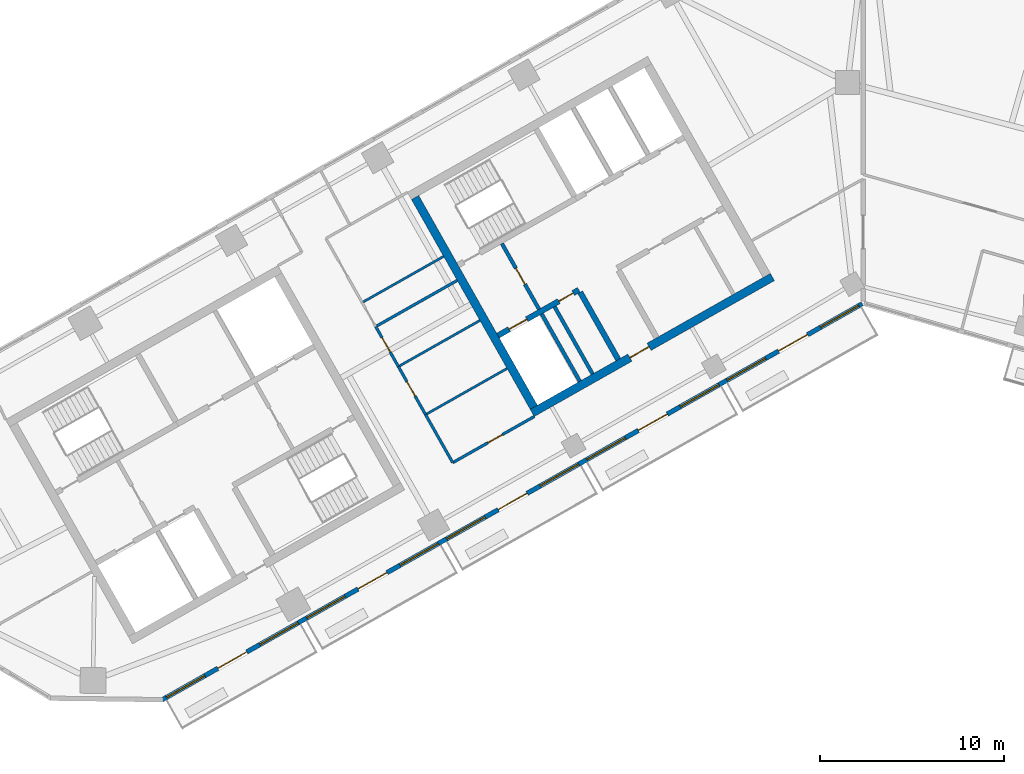
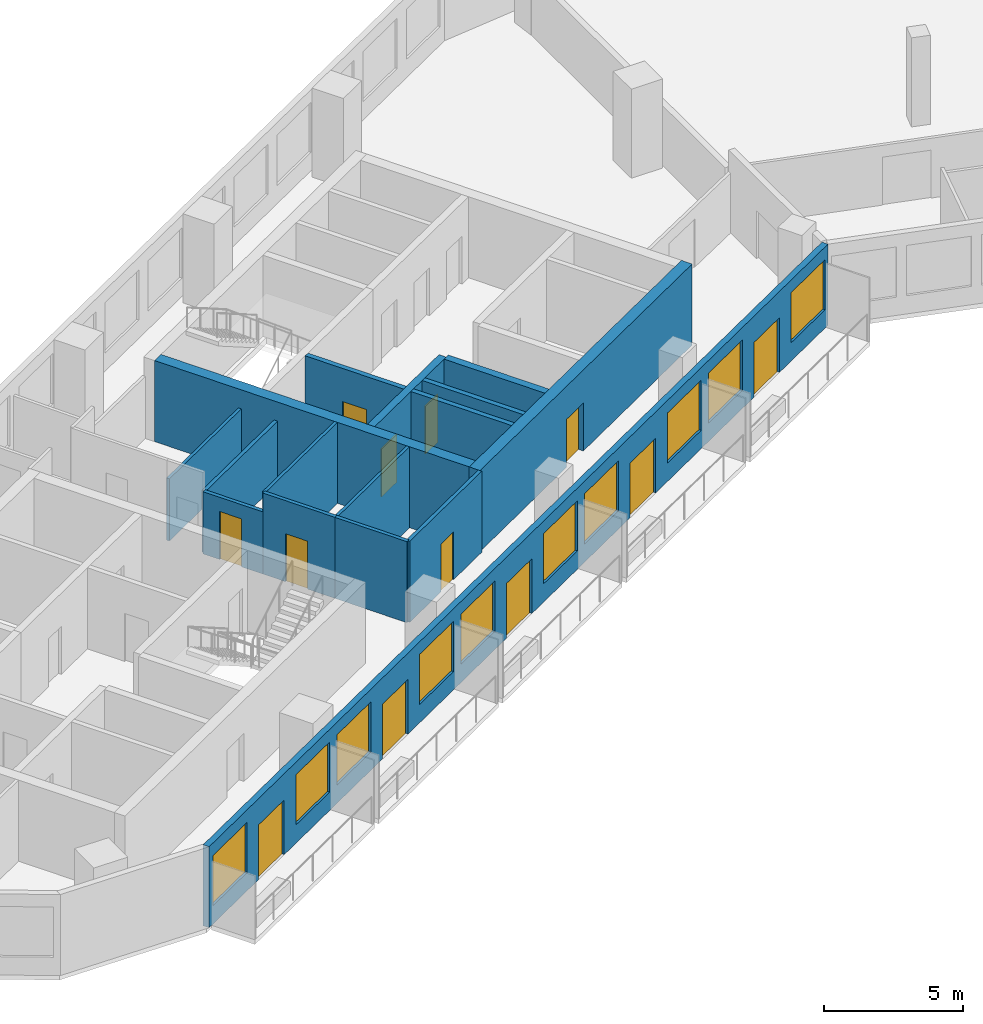
# One storey, part 5 of 11: 16 walls, 12 doors, 10 windows, 22 openings.
"""IFC4 building model written with IfcOpenShell, lengths in metres."""

from ifc_helpers import new_model, si_unit, direction, frame, frame_2d, origin, place, context, subcontext, project, spatial, rectangle, extrude, material, layer, layer_set, type_object, element, fill, save


model = new_model("IFC4")

# Units and contexts
model_context = context("Model", 3, precision=1e-05, world=origin(), true_north=direction((0.0, 1.0)))
body_context = subcontext(model_context, "Body", "Model", "MODEL_VIEW")
ifc_project = project(units=[si_unit("LENGTHUNIT", "METRE"), si_unit("AREAUNIT", "SQUARE_METRE"), si_unit("VOLUMEUNIT", "CUBIC_METRE"), si_unit("PLANEANGLEUNIT", "RADIAN"), si_unit("MASSUNIT", "GRAM", prefix="KILO")], contexts=[model_context])

# Site, building, storey
site_placement = place(None, origin())
site = spatial("IfcSite", under=ifc_project, at=site_placement, CompositionType="ELEMENT")
building_placement = place(site_placement, origin())
building = spatial("IfcBuilding", under=site, at=building_placement, Name="Binnacle Exchange Tower", CompositionType="ELEMENT")
storey_placement = place(building_placement, frame((0.0, 0.0, 227.0)))
storey = spatial("IfcBuildingStorey", under=building, at=storey_placement, Name="L50", CompositionType="ELEMENT", Elevation=227.0)

# Wall, openings, doors
ifc_material_1 = material(Name="Concrete C70/85", Category="concrete")
ifc_layer_1 = layer(ifc_material_1, 0.300048828125)
ifc_layer_set_1 = layer_set([ifc_layer_1], Name="Core wall - front 300")
wall_type_1 = type_object("IfcWallType", Name="Core wall - front 300", PredefinedType="SOLIDWALL", material=ifc_layer_set_1)
wall_1_placement = place(storey_placement, frame((-19.8486328125, 46.242431640625, 0.0), z_axis=(0.0, 0.0, 1.0), x_axis=(0.870347559728, 0.492437940532, 0.0)))
wall_1 = element("IfcWall", 1, at=wall_1_placement, inside=storey, type_object=wall_type_1, Name="Core wall CRWC2", PredefinedType="SOLIDWALL", context=body_context, shape_type="SweptSolid", body=[
    extrude(rectangle(XDim=5.050048828125, YDim=0.300048828125, at=frame_2d((2.52490234375, 0.0))), origin(), (0.0, 0.0, 1.0), 3.550048828125),
])
opening_1_placement = place(wall_1_placement, frame((0.7001953125, 0.0, 0.0)))
opening_1 = element("IfcOpeningElement", 2, at=opening_1_placement, cuts=wall_1, Name="Opening LD14", PredefinedType="OPENING", context=body_context, shape_type="SweptSolid", body=[
    extrude(rectangle(XDim=1.10009765625, YDim=2.10009765625, at=frame_2d((0.550048828125, 1.050048828125))), frame((0.0, 0.159912109375, 0.0), z_axis=(0.0, -1.0, 0.0), x_axis=(1.0, 0.0, 0.0)), (0.0, 0.0, 1.0), 0.320068359375),
])
opening_2_placement = place(wall_1_placement, frame((3.800048828125, 0.0, 0.0)))
opening_2 = element("IfcOpeningElement", 3, at=opening_2_placement, cuts=wall_1, Name="Opening DC14", PredefinedType="OPENING", context=body_context, shape_type="SweptSolid", body=[
    extrude(rectangle(XDim=0.89990234375, YDim=2.10009765625, at=frame_2d((0.449951171875, 1.050048828125))), frame((0.0, 0.159912109375, 0.0), z_axis=(0.0, -1.0, 0.0), x_axis=(1.0, 0.0, 0.0)), (0.0, 0.0, 1.0), 0.320068359375),
])
ifc_material_2 = material(Name="Steel door leaf", Category="steel")
door_type_1 = type_object("IfcDoorType", Name="Fire door - lift landing 1100", OperationType="NOTDEFINED", PredefinedType="DOOR", material=ifc_material_2)
door_1_placement = place(opening_1_placement, origin())
door_1 = element("IfcDoor", 4, at=door_1_placement, inside=storey, type_object=door_type_1, Name="Landing door LD14 L50", OperationType="DOUBLE_DOOR_SLIDING", OverallHeight=2.10009765625, OverallWidth=1.10009765625, PredefinedType="DOOR", context=body_context, shape_type="SweptSolid", body=[
    extrude(rectangle(XDim=1.10009765625, YDim=2.10009765625, at=frame_2d((0.550048828125, 1.050048828125))), frame((0.0, 0.02490234375, 0.0), z_axis=(0.0, -1.0, 0.0), x_axis=(1.0, 0.0, 0.0)), (0.0, 0.0, 1.0), 0.050048828125),
])
fill(opening_1, door_1)
door_type_2 = type_object("IfcDoorType", Name="Fire door 900", OperationType="NOTDEFINED", PredefinedType="DOOR", material=ifc_material_2)
door_2_placement = place(opening_2_placement, frame((0.89990234375, 0.0, 0.0), z_axis=(0.0, 0.0, 1.0), x_axis=(-1.0, 0.0, 0.0)))
door_2 = element("IfcDoor", 5, at=door_2_placement, inside=storey, type_object=door_type_2, Name="Core room door COMMS RISER ROOM", OperationType="SINGLE_SWING_LEFT", OverallHeight=2.10009765625, OverallWidth=0.89990234375, PredefinedType="DOOR", context=body_context, shape_type="SweptSolid", body=[
    extrude(rectangle(XDim=0.89990234375, YDim=2.10009765625, at=frame_2d((0.449951171875, 1.050048828125))), frame((0.0, 0.02490234375, 0.0), z_axis=(0.0, -1.0, 0.0), x_axis=(1.0, 0.0, 0.0)), (0.0, 0.0, 1.0), 0.050048828125),
])
fill(opening_2, door_2)

# Wall
wall_2_placement = place(storey_placement, frame((-15.37939453125, 48.5986328125, 0.0), z_axis=(0.0, 0.0, 1.0), x_axis=(0.492409653846, -0.870363563575, 0.0)))
element("IfcWall", 6, at=wall_2_placement, inside=storey, type_object=wall_type_1, Name="Core wall CRWC13", PredefinedType="SOLIDWALL", context=body_context, shape_type="SweptSolid", body=[
    extrude(rectangle(XDim=4.199951171875, YDim=0.300048828125, at=frame_2d((2.10009765625, 0.0))), origin(), (0.0, 0.0, 1.0), 3.550048828125),
])

# Wall, opening, door
ifc_layer_2 = layer(ifc_material_1, 0.449951171875)
ifc_layer_set_2 = layer_set([ifc_layer_2], Name="Core wall - outer 450")
wall_type_2 = type_object("IfcWallType", Name="Core wall - outer 450", PredefinedType="SOLIDWALL", material=ifc_layer_set_2)
wall_3_placement = place(storey_placement, frame((-17.987548828125, 42.0390625, 0.0), z_axis=(0.0, 0.0, 1.0), x_axis=(0.870360574057, 0.492414937962, 0.0)))
wall_3 = element("IfcWall", 7, at=wall_3_placement, inside=storey, type_object=wall_type_2, Name="Core wall CRWC1", PredefinedType="SOLIDWALL", context=body_context, shape_type="SweptSolid", body=[
    extrude(rectangle(XDim=15.0, YDim=0.449951171875, at=frame_2d((7.5, 0.0))), origin(), (0.0, 0.0, 1.0), 3.550048828125),
])
opening_3_placement = place(wall_3_placement, frame((6.10009765625, 0.0, 0.0)))
opening_3 = element("IfcOpeningElement", 8, at=opening_3_placement, cuts=wall_3, Name="Opening DC7", PredefinedType="OPENING", context=body_context, shape_type="SweptSolid", body=[
    extrude(rectangle(XDim=1.199951171875, YDim=2.10009765625, at=frame_2d((0.60009765625, 1.050048828125))), frame((0.0, 0.23486328125, 0.0), z_axis=(0.0, -1.0, 0.0), x_axis=(1.0, 0.0, 0.0)), (0.0, 0.0, 1.0), 0.469970703125),
])
door_type_3 = type_object("IfcDoorType", Name="Fire door 1200", OperationType="NOTDEFINED", PredefinedType="DOOR", material=ifc_material_2)
door_3_placement = place(opening_3_placement, frame((1.199951171875, 0.0, 0.0), z_axis=(0.0, 0.0, 1.0), x_axis=(-1.0, 0.0, 0.0)))
door_3 = element("IfcDoor", 9, at=door_3_placement, inside=storey, type_object=door_type_3, Name="Lift lobby entrance door core C", OperationType="SINGLE_SWING_RIGHT", OverallHeight=2.10009765625, OverallWidth=1.199951171875, PredefinedType="DOOR", context=body_context, shape_type="SweptSolid", body=[
    extrude(rectangle(XDim=1.199951171875, YDim=2.10009765625, at=frame_2d((0.60009765625, 1.050048828125))), frame((0.0, 0.02490234375, 0.0), z_axis=(0.0, -1.0, 0.0), x_axis=(1.0, 0.0, 0.0)), (0.0, 0.0, 1.0), 0.050048828125),
])
fill(opening_3, door_3)

# Wall
wall_4_placement = place(storey_placement, frame((-24.353271484375, 53.747314453125, 0.0), z_axis=(0.0, 0.0, 1.0), x_axis=(0.492435496286, -0.870348942665, 0.0)))
element("IfcWall", 10, at=wall_4_placement, inside=storey, type_object=wall_type_2, Name="Core wall CRWC7", PredefinedType="SOLIDWALL", context=body_context, shape_type="SweptSolid", body=[
    extrude(rectangle(XDim=13.10009765625, YDim=0.449951171875, at=frame_2d((6.550048828125, 0.0))), origin(), (0.0, 0.0, 1.0), 3.550048828125),
])

# Wall, openings, doors, windows
ifc_material_3 = material(Name="Bronze aluminium cladding", Category="aluminium")
ifc_layer_3 = layer(ifc_material_3, 0.25)
ifc_layer_set_3 = layer_set([ifc_layer_3], Name="External wall - window wall 250")
wall_type_3 = type_object("IfcWallType", Name="External wall - window wall 250", PredefinedType="STANDARD", material=ifc_layer_set_3)
wall_5_placement = place(storey_placement, frame((-0.045654296875, 47.97412109375, 0.0), z_axis=(0.0, 0.0, 1.0), x_axis=(-0.870356579543, -0.492421998337, 0.0)))
wall_5 = element("IfcWall", 11, at=wall_5_placement, inside=storey, type_object=wall_type_3, Name="External wall EW-G01 L50", PredefinedType="STANDARD", context=body_context, shape_type="SweptSolid", body=[
    extrude(rectangle(XDim=43.75390625, YDim=0.25, at=frame_2d((21.876953125, 0.0))), origin(), (0.0, 0.0, 1.0), 3.550048828125),
])
opening_4_placement = place(wall_5_placement, frame((41.061279296875, 0.0, 0.800048828125)))
opening_4 = element("IfcOpeningElement", 12, at=opening_4_placement, cuts=wall_5, Name="Opening WR1", PredefinedType="OPENING", context=body_context, shape_type="SweptSolid", body=[
    extrude(rectangle(XDim=2.39990234375, YDim=2.199951171875, at=frame_2d((1.199951171875, 1.10009765625))), frame((0.0, 0.135009765625, 0.0), z_axis=(0.0, -1.0, 0.0), x_axis=(1.0, 0.0, 0.0)), (0.0, 0.0, 1.0), 0.27001953125),
])
opening_5_placement = place(wall_5_placement, frame((38.443115234375, 0.0, 0.0)))
opening_5 = element("IfcOpeningElement", 13, at=opening_5_placement, cuts=wall_5, Name="Opening D-FS13-01", PredefinedType="OPENING", context=body_context, shape_type="SweptSolid", body=[
    extrude(rectangle(XDim=1.800048828125, YDim=2.39990234375, at=frame_2d((0.89990234375, 1.199951171875))), frame((0.0, 0.135009765625, 0.0), z_axis=(0.0, -1.0, 0.0), x_axis=(1.0, 0.0, 0.0)), (0.0, 0.0, 1.0), 0.27001953125),
])
opening_6_placement = place(wall_5_placement, frame((35.224853515625, 0.0, 0.800048828125)))
opening_6 = element("IfcOpeningElement", 14, at=opening_6_placement, cuts=wall_5, Name="Opening WR1", PredefinedType="OPENING", context=body_context, shape_type="SweptSolid", body=[
    extrude(rectangle(XDim=2.39990234375, YDim=2.199951171875, at=frame_2d((1.199951171875, 1.10009765625))), frame((0.0, 0.135009765625, 0.0), z_axis=(0.0, -1.0, 0.0), x_axis=(1.0, 0.0, 0.0)), (0.0, 0.0, 1.0), 0.27001953125),
])
opening_7_placement = place(wall_5_placement, frame((32.306640625, 0.0, 0.800048828125)))
opening_7 = element("IfcOpeningElement", 15, at=opening_7_placement, cuts=wall_5, Name="Opening WR1", PredefinedType="OPENING", context=body_context, shape_type="SweptSolid", body=[
    extrude(rectangle(XDim=2.39990234375, YDim=2.199951171875, at=frame_2d((1.199951171875, 1.10009765625))), frame((0.0, 0.135009765625, 0.0), z_axis=(0.0, -1.0, 0.0), x_axis=(1.0, 0.0, 0.0)), (0.0, 0.0, 1.0), 0.27001953125),
])
opening_8_placement = place(wall_5_placement, frame((29.6884765625, 0.0, 0.0)))
opening_8 = element("IfcOpeningElement", 16, at=opening_8_placement, cuts=wall_5, Name="Opening D-FS13-02", PredefinedType="OPENING", context=body_context, shape_type="SweptSolid", body=[
    extrude(rectangle(XDim=1.800048828125, YDim=2.39990234375, at=frame_2d((0.89990234375, 1.199951171875))), frame((0.0, 0.135009765625, 0.0), z_axis=(0.0, -1.0, 0.0), x_axis=(1.0, 0.0, 0.0)), (0.0, 0.0, 1.0), 0.27001953125),
])
opening_9_placement = place(wall_5_placement, frame((26.47021484375, 0.0, 0.800048828125)))
opening_9 = element("IfcOpeningElement", 17, at=opening_9_placement, cuts=wall_5, Name="Opening WR1", PredefinedType="OPENING", context=body_context, shape_type="SweptSolid", body=[
    extrude(rectangle(XDim=2.39990234375, YDim=2.199951171875, at=frame_2d((1.199951171875, 1.10009765625))), frame((0.0, 0.135009765625, 0.0), z_axis=(0.0, -1.0, 0.0), x_axis=(1.0, 0.0, 0.0)), (0.0, 0.0, 1.0), 0.27001953125),
])
opening_10_placement = place(wall_5_placement, frame((23.552001953125, 0.0, 0.800048828125)))
opening_10 = element("IfcOpeningElement", 18, at=opening_10_placement, cuts=wall_5, Name="Opening WR1", PredefinedType="OPENING", context=body_context, shape_type="SweptSolid", body=[
    extrude(rectangle(XDim=2.39990234375, YDim=2.199951171875, at=frame_2d((1.199951171875, 1.10009765625))), frame((0.0, 0.135009765625, 0.0), z_axis=(0.0, -1.0, 0.0), x_axis=(1.0, 0.0, 0.0)), (0.0, 0.0, 1.0), 0.27001953125),
])
opening_11_placement = place(wall_5_placement, frame((20.93408203125, 0.0, 0.0)))
opening_11 = element("IfcOpeningElement", 19, at=opening_11_placement, cuts=wall_5, Name="Opening D-FS13-03", PredefinedType="OPENING", context=body_context, shape_type="SweptSolid", body=[
    extrude(rectangle(XDim=1.7998046875, YDim=2.39990234375, at=frame_2d((0.89990234375, 1.199951171875))), frame((0.0, 0.135009765625, 0.0), z_axis=(0.0, -1.0, 0.0), x_axis=(1.0, 0.0, 0.0)), (0.0, 0.0, 1.0), 0.27001953125),
])
opening_12_placement = place(wall_5_placement, frame((17.7158203125, 0.0, 0.800048828125)))
opening_12 = element("IfcOpeningElement", 20, at=opening_12_placement, cuts=wall_5, Name="Opening WR1", PredefinedType="OPENING", context=body_context, shape_type="SweptSolid", body=[
    extrude(rectangle(XDim=2.39990234375, YDim=2.199951171875, at=frame_2d((1.199951171875, 1.10009765625))), frame((0.0, 0.135009765625, 0.0), z_axis=(0.0, -1.0, 0.0), x_axis=(1.0, 0.0, 0.0)), (0.0, 0.0, 1.0), 0.27001953125),
])
opening_13_placement = place(wall_5_placement, frame((14.797607421875, 0.0, 0.800048828125)))
opening_13 = element("IfcOpeningElement", 21, at=opening_13_placement, cuts=wall_5, Name="Opening WR1", PredefinedType="OPENING", context=body_context, shape_type="SweptSolid", body=[
    extrude(rectangle(XDim=2.39990234375, YDim=2.199951171875, at=frame_2d((1.199951171875, 1.10009765625))), frame((0.0, 0.135009765625, 0.0), z_axis=(0.0, -1.0, 0.0), x_axis=(1.0, 0.0, 0.0)), (0.0, 0.0, 1.0), 0.27001953125),
])
opening_14_placement = place(wall_5_placement, frame((12.179443359375, 0.0, 0.0)))
opening_14 = element("IfcOpeningElement", 22, at=opening_14_placement, cuts=wall_5, Name="Opening D-FS13-04", PredefinedType="OPENING", context=body_context, shape_type="SweptSolid", body=[
    extrude(rectangle(XDim=1.800048828125, YDim=2.39990234375, at=frame_2d((0.89990234375, 1.199951171875))), frame((0.0, 0.135009765625, 0.0), z_axis=(0.0, -1.0, 0.0), x_axis=(1.0, 0.0, 0.0)), (0.0, 0.0, 1.0), 0.27001953125),
])
opening_15_placement = place(wall_5_placement, frame((8.961181640625, 0.0, 0.800048828125)))
opening_15 = element("IfcOpeningElement", 23, at=opening_15_placement, cuts=wall_5, Name="Opening WR1", PredefinedType="OPENING", context=body_context, shape_type="SweptSolid", body=[
    extrude(rectangle(XDim=2.39990234375, YDim=2.199951171875, at=frame_2d((1.199951171875, 1.10009765625))), frame((0.0, 0.135009765625, 0.0), z_axis=(0.0, -1.0, 0.0), x_axis=(1.0, 0.0, 0.0)), (0.0, 0.0, 1.0), 0.27001953125),
])
opening_16_placement = place(wall_5_placement, frame((6.04296875, 0.0, 0.800048828125)))
opening_16 = element("IfcOpeningElement", 24, at=opening_16_placement, cuts=wall_5, Name="Opening WR1", PredefinedType="OPENING", context=body_context, shape_type="SweptSolid", body=[
    extrude(rectangle(XDim=2.400146484375, YDim=2.199951171875, at=frame_2d((1.2001953125, 1.10009765625))), frame((0.0, 0.135009765625, 0.0), z_axis=(0.0, -1.0, 0.0), x_axis=(1.0, 0.0, 0.0)), (0.0, 0.0, 1.0), 0.27001953125),
])
opening_17_placement = place(wall_5_placement, frame((3.4248046875, 0.0, 0.0)))
opening_17 = element("IfcOpeningElement", 25, at=opening_17_placement, cuts=wall_5, Name="Opening D-FS13-05", PredefinedType="OPENING", context=body_context, shape_type="SweptSolid", body=[
    extrude(rectangle(XDim=1.800048828125, YDim=2.39990234375, at=frame_2d((0.89990234375, 1.199951171875))), frame((0.0, 0.135009765625, 0.0), z_axis=(0.0, -1.0, 0.0), x_axis=(1.0, 0.0, 0.0)), (0.0, 0.0, 1.0), 0.27001953125),
])
opening_18_placement = place(wall_5_placement, frame((0.206787109375, 0.0, 0.800048828125)))
opening_18 = element("IfcOpeningElement", 26, at=opening_18_placement, cuts=wall_5, Name="Opening WR1", PredefinedType="OPENING", context=body_context, shape_type="SweptSolid", body=[
    extrude(rectangle(XDim=2.39990234375, YDim=2.199951171875, at=frame_2d((1.199951171875, 1.10009765625))), frame((0.0, 0.135009765625, 0.0), z_axis=(0.0, -1.0, 0.0), x_axis=(1.0, 0.0, 0.0)), (0.0, 0.0, 1.0), 0.27001953125),
])
ifc_material_4 = material(Name="Bronze anodised aluminium frame", Category="aluminium")
door_type_4 = type_object("IfcDoorType", Name="DB DOOR 1800x2400", OperationType="DOUBLE_DOOR_SINGLE_SWING", PredefinedType="DOOR", material=ifc_material_4)
door_4_placement = place(opening_5_placement, origin())
door_4 = element("IfcDoor", 27, at=door_4_placement, inside=storey, type_object=door_type_4, Name="Door D-FS13-01 L50", OperationType="DOUBLE_DOOR_SINGLE_SWING", OverallHeight=2.39990234375, OverallWidth=1.800048828125, PredefinedType="DOOR", context=body_context, shape_type="SweptSolid", body=[
    extrude(rectangle(XDim=1.800048828125, YDim=2.39990234375, at=frame_2d((0.89990234375, 1.199951171875))), frame((0.0, 0.02490234375, 0.0), z_axis=(0.0, -1.0, 0.0), x_axis=(1.0, 0.0, 0.0)), (0.0, 0.0, 1.0), 0.050048828125),
])
fill(opening_5, door_4)
door_5_placement = place(opening_8_placement, origin())
door_5 = element("IfcDoor", 28, at=door_5_placement, inside=storey, type_object=door_type_4, Name="Door D-FS13-02 L50", OperationType="DOUBLE_DOOR_SINGLE_SWING", OverallHeight=2.39990234375, OverallWidth=1.800048828125, PredefinedType="DOOR", context=body_context, shape_type="SweptSolid", body=[
    extrude(rectangle(XDim=1.800048828125, YDim=2.39990234375, at=frame_2d((0.89990234375, 1.199951171875))), frame((0.0, 0.02490234375, 0.0), z_axis=(0.0, -1.0, 0.0), x_axis=(1.0, 0.0, 0.0)), (0.0, 0.0, 1.0), 0.050048828125),
])
fill(opening_8, door_5)
door_6_placement = place(opening_11_placement, origin())
door_6 = element("IfcDoor", 29, at=door_6_placement, inside=storey, type_object=door_type_4, Name="Door D-FS13-03 L50", OperationType="DOUBLE_DOOR_SINGLE_SWING", OverallHeight=2.39990234375, OverallWidth=1.7998046875, PredefinedType="DOOR", context=body_context, shape_type="SweptSolid", body=[
    extrude(rectangle(XDim=1.7998046875, YDim=2.39990234375, at=frame_2d((0.89990234375, 1.199951171875))), frame((0.0, 0.02490234375, 0.0), z_axis=(0.0, -1.0, 0.0), x_axis=(1.0, 0.0, 0.0)), (0.0, 0.0, 1.0), 0.050048828125),
])
fill(opening_11, door_6)
door_7_placement = place(opening_14_placement, origin())
door_7 = element("IfcDoor", 30, at=door_7_placement, inside=storey, type_object=door_type_4, Name="Door D-FS13-04 L50", OperationType="DOUBLE_DOOR_SINGLE_SWING", OverallHeight=2.39990234375, OverallWidth=1.800048828125, PredefinedType="DOOR", context=body_context, shape_type="SweptSolid", body=[
    extrude(rectangle(XDim=1.800048828125, YDim=2.39990234375, at=frame_2d((0.89990234375, 1.199951171875))), frame((0.0, 0.02490234375, 0.0), z_axis=(0.0, -1.0, 0.0), x_axis=(1.0, 0.0, 0.0)), (0.0, 0.0, 1.0), 0.050048828125),
])
fill(opening_14, door_7)
door_8_placement = place(opening_17_placement, origin())
door_8 = element("IfcDoor", 31, at=door_8_placement, inside=storey, type_object=door_type_4, Name="Door D-FS13-05 L50", OperationType="DOUBLE_DOOR_SINGLE_SWING", OverallHeight=2.39990234375, OverallWidth=1.800048828125, PredefinedType="DOOR", context=body_context, shape_type="SweptSolid", body=[
    extrude(rectangle(XDim=1.800048828125, YDim=2.39990234375, at=frame_2d((0.89990234375, 1.199951171875))), frame((0.0, 0.02490234375, 0.0), z_axis=(0.0, -1.0, 0.0), x_axis=(1.0, 0.0, 0.0)), (0.0, 0.0, 1.0), 0.050048828125),
])
fill(opening_17, door_8)
window_type = type_object("IfcWindowType", Name="WR1 WINDOW 2400x2200", PartitioningType="SINGLE_PANEL", PredefinedType="WINDOW", material=ifc_material_4)
window_1_placement = place(opening_4_placement, origin())
window_1 = element("IfcWindow", 32, at=window_1_placement, inside=storey, type_object=window_type, Name="Window WR1 L50", OverallHeight=2.199951171875, OverallWidth=2.39990234375, PartitioningType="SINGLE_PANEL", PredefinedType="WINDOW", context=body_context, shape_type="SweptSolid", body=[
    extrude(rectangle(XDim=2.39990234375, YDim=2.199951171875, at=frame_2d((1.199951171875, 1.10009765625))), frame((0.0, 0.030029296875, 0.0), z_axis=(0.0, -1.0, 0.0), x_axis=(1.0, 0.0, 0.0)), (0.0, 0.0, 1.0), 0.06005859375),
])
fill(opening_4, window_1)
window_2_placement = place(opening_6_placement, origin())
window_2 = element("IfcWindow", 33, at=window_2_placement, inside=storey, type_object=window_type, Name="Window WR1 L50", OverallHeight=2.199951171875, OverallWidth=2.39990234375, PartitioningType="SINGLE_PANEL", PredefinedType="WINDOW", context=body_context, shape_type="SweptSolid", body=[
    extrude(rectangle(XDim=2.39990234375, YDim=2.199951171875, at=frame_2d((1.199951171875, 1.10009765625))), frame((0.0, 0.030029296875, 0.0), z_axis=(0.0, -1.0, 0.0), x_axis=(1.0, 0.0, 0.0)), (0.0, 0.0, 1.0), 0.06005859375),
])
fill(opening_6, window_2)
window_3_placement = place(opening_7_placement, origin())
window_3 = element("IfcWindow", 34, at=window_3_placement, inside=storey, type_object=window_type, Name="Window WR1 L50", OverallHeight=2.199951171875, OverallWidth=2.39990234375, PartitioningType="SINGLE_PANEL", PredefinedType="WINDOW", context=body_context, shape_type="SweptSolid", body=[
    extrude(rectangle(XDim=2.39990234375, YDim=2.199951171875, at=frame_2d((1.199951171875, 1.10009765625))), frame((0.0, 0.030029296875, 0.0), z_axis=(0.0, -1.0, 0.0), x_axis=(1.0, 0.0, 0.0)), (0.0, 0.0, 1.0), 0.06005859375),
])
fill(opening_7, window_3)
window_4_placement = place(opening_9_placement, origin())
window_4 = element("IfcWindow", 35, at=window_4_placement, inside=storey, type_object=window_type, Name="Window WR1 L50", OverallHeight=2.199951171875, OverallWidth=2.39990234375, PartitioningType="SINGLE_PANEL", PredefinedType="WINDOW", context=body_context, shape_type="SweptSolid", body=[
    extrude(rectangle(XDim=2.39990234375, YDim=2.199951171875, at=frame_2d((1.199951171875, 1.10009765625))), frame((0.0, 0.030029296875, 0.0), z_axis=(0.0, -1.0, 0.0), x_axis=(1.0, 0.0, 0.0)), (0.0, 0.0, 1.0), 0.06005859375),
])
fill(opening_9, window_4)
window_5_placement = place(opening_10_placement, origin())
window_5 = element("IfcWindow", 36, at=window_5_placement, inside=storey, type_object=window_type, Name="Window WR1 L50", OverallHeight=2.199951171875, OverallWidth=2.39990234375, PartitioningType="SINGLE_PANEL", PredefinedType="WINDOW", context=body_context, shape_type="SweptSolid", body=[
    extrude(rectangle(XDim=2.39990234375, YDim=2.199951171875, at=frame_2d((1.199951171875, 1.10009765625))), frame((0.0, 0.030029296875, 0.0), z_axis=(0.0, -1.0, 0.0), x_axis=(1.0, 0.0, 0.0)), (0.0, 0.0, 1.0), 0.06005859375),
])
fill(opening_10, window_5)
window_6_placement = place(opening_12_placement, origin())
window_6 = element("IfcWindow", 37, at=window_6_placement, inside=storey, type_object=window_type, Name="Window WR1 L50", OverallHeight=2.199951171875, OverallWidth=2.39990234375, PartitioningType="SINGLE_PANEL", PredefinedType="WINDOW", context=body_context, shape_type="SweptSolid", body=[
    extrude(rectangle(XDim=2.39990234375, YDim=2.199951171875, at=frame_2d((1.199951171875, 1.10009765625))), frame((0.0, 0.030029296875, 0.0), z_axis=(0.0, -1.0, 0.0), x_axis=(1.0, 0.0, 0.0)), (0.0, 0.0, 1.0), 0.06005859375),
])
fill(opening_12, window_6)
window_7_placement = place(opening_13_placement, origin())
window_7 = element("IfcWindow", 38, at=window_7_placement, inside=storey, type_object=window_type, Name="Window WR1 L50", OverallHeight=2.199951171875, OverallWidth=2.39990234375, PartitioningType="SINGLE_PANEL", PredefinedType="WINDOW", context=body_context, shape_type="SweptSolid", body=[
    extrude(rectangle(XDim=2.39990234375, YDim=2.199951171875, at=frame_2d((1.199951171875, 1.10009765625))), frame((0.0, 0.030029296875, 0.0), z_axis=(0.0, -1.0, 0.0), x_axis=(1.0, 0.0, 0.0)), (0.0, 0.0, 1.0), 0.06005859375),
])
fill(opening_13, window_7)
window_8_placement = place(opening_15_placement, origin())
window_8 = element("IfcWindow", 39, at=window_8_placement, inside=storey, type_object=window_type, Name="Window WR1 L50", OverallHeight=2.199951171875, OverallWidth=2.39990234375, PartitioningType="SINGLE_PANEL", PredefinedType="WINDOW", context=body_context, shape_type="SweptSolid", body=[
    extrude(rectangle(XDim=2.39990234375, YDim=2.199951171875, at=frame_2d((1.199951171875, 1.10009765625))), frame((0.0, 0.030029296875, 0.0), z_axis=(0.0, -1.0, 0.0), x_axis=(1.0, 0.0, 0.0)), (0.0, 0.0, 1.0), 0.06005859375),
])
fill(opening_15, window_8)
window_9_placement = place(opening_16_placement, origin())
window_9 = element("IfcWindow", 40, at=window_9_placement, inside=storey, type_object=window_type, Name="Window WR1 L50", OverallHeight=2.199951171875, OverallWidth=2.400146484375, PartitioningType="SINGLE_PANEL", PredefinedType="WINDOW", context=body_context, shape_type="SweptSolid", body=[
    extrude(rectangle(XDim=2.400146484375, YDim=2.199951171875, at=frame_2d((1.2001953125, 1.10009765625))), frame((0.0, 0.030029296875, 0.0), z_axis=(0.0, -1.0, 0.0), x_axis=(1.0, 0.0, 0.0)), (0.0, 0.0, 1.0), 0.06005859375),
])
fill(opening_16, window_9)
window_10_placement = place(opening_18_placement, origin())
window_10 = element("IfcWindow", 41, at=window_10_placement, inside=storey, type_object=window_type, Name="Window WR1 L50", OverallHeight=2.199951171875, OverallWidth=2.39990234375, PartitioningType="SINGLE_PANEL", PredefinedType="WINDOW", context=body_context, shape_type="SweptSolid", body=[
    extrude(rectangle(XDim=2.39990234375, YDim=2.199951171875, at=frame_2d((1.199951171875, 1.10009765625))), frame((0.0, 0.030029296875, 0.0), z_axis=(0.0, -1.0, 0.0), x_axis=(1.0, 0.0, 0.0)), (0.0, 0.0, 1.0), 0.06005859375),
])
fill(opening_18, window_10)

# Wall, opening, door
ifc_material_5 = material(Name="Masonry block wall", Category="masonry")
ifc_layer_4 = layer(ifc_material_5, 0.199951171875)
ifc_layer_set_4 = layer_set([ifc_layer_4], Name="Fire wall - vestibule 200")
wall_type_4 = type_object("IfcWallType", Name="Fire wall - vestibule 200", PredefinedType="PARTITIONING", material=ifc_layer_set_4)
wall_6_placement = place(storey_placement, frame((-19.635009765625, 51.246337890625, 0.0), z_axis=(0.0, 0.0, 1.0), x_axis=(0.492408451753, -0.87036424366, 0.0)))
wall_6 = element("IfcWall", 42, at=wall_6_placement, inside=storey, type_object=wall_type_4, Name="Core wall CRWC10", PredefinedType="PARTITIONING", context=body_context, shape_type="SweptSolid", body=[
    extrude(rectangle(XDim=4.099853515625, YDim=0.199951171875, at=frame_2d((2.0498046875, 0.0))), origin(), (0.0, 0.0, 1.0), 3.550048828125),
])
opening_19_placement = place(wall_6_placement, frame((1.550048828125, 0.0, 0.0)))
opening_19 = element("IfcOpeningElement", 43, at=opening_19_placement, cuts=wall_6, Name="Opening DC3", PredefinedType="OPENING", context=body_context, shape_type="SweptSolid", body=[
    extrude(rectangle(XDim=1.0, YDim=2.10009765625, at=frame_2d((0.5, 1.050048828125))), frame((0.0, 0.10986328125, 0.0), z_axis=(0.0, -1.0, 0.0), x_axis=(1.0, 0.0, 0.0)), (0.0, 0.0, 1.0), 0.219970703125),
])
door_type_5 = type_object("IfcDoorType", Name="Fire door 1000", OperationType="NOTDEFINED", PredefinedType="DOOR", material=ifc_material_2)
door_9_placement = place(opening_19_placement, frame((1.0, 0.0, 0.0), z_axis=(0.0, 0.0, 1.0), x_axis=(-1.0, 0.0, 0.0)))
door_9 = element("IfcDoor", 44, at=door_9_placement, inside=storey, type_object=door_type_5, Name="Vestibule door VEST-W", OperationType="SINGLE_SWING_RIGHT", OverallHeight=2.10009765625, OverallWidth=1.0, PredefinedType="DOOR", context=body_context, shape_type="SweptSolid", body=[
    extrude(rectangle(XDim=1.0, YDim=2.10009765625, at=frame_2d((0.5, 1.050048828125))), frame((0.0, 0.02490234375, 0.0), z_axis=(0.0, -1.0, 0.0), x_axis=(1.0, 0.0, 0.0)), (0.0, 0.0, 1.0), 0.050048828125),
])
fill(opening_19, door_9)

ifc_material_6 = material(Name="Gypsum partition fire rated")
ifc_layer_5 = layer(ifc_material_6, 0.14990234375)
ifc_layer_set_5 = layer_set([ifc_layer_5], Name="Fire-rated partition 150")
wall_type_5 = type_object("IfcWallType", Name="Fire-rated partition 150", PredefinedType="PARTITIONING", material=ifc_layer_set_5)
wall_7_placement = place(storey_placement, frame((-26.492919921875, 46.73388671875, 0.0), z_axis=(0.0, 0.0, 1.0), x_axis=(0.49257867544, -0.870267917656, 0.0)))
wall_7 = element("IfcWall", 45, at=wall_7_placement, inside=storey, type_object=wall_type_5, Name="Partition W13", PredefinedType="PARTITIONING", context=body_context, shape_type="SweptSolid", body=[
    extrude(rectangle(XDim=2.4990234375, YDim=0.14990234375, at=frame_2d((1.24951171875, 0.0))), origin(), (0.0, 0.0, 1.0), 2.721923828125),
])
opening_20_placement = place(wall_7_placement, frame((0.699951171875, 0.0, 0.0)))
opening_20 = element("IfcOpeningElement", 46, at=opening_20_placement, cuts=wall_7, Name="Opening DL48-07", PredefinedType="OPENING", context=body_context, shape_type="SweptSolid", body=[
    extrude(rectangle(XDim=0.89990234375, YDim=2.10009765625, at=frame_2d((0.449951171875, 1.050048828125))), frame((0.0, 0.0849609375, 0.0), z_axis=(0.0, -1.0, 0.0), x_axis=(1.0, 0.0, 0.0)), (0.0, 0.0, 1.0), 0.169921875),
])
door_10_placement = place(opening_20_placement, origin())
door_10 = element("IfcDoor", 47, at=door_10_placement, inside=storey, type_object=door_type_2, Name="Door DL48-07", OperationType="SINGLE_SWING_LEFT", OverallHeight=2.10009765625, OverallWidth=0.89990234375, PredefinedType="DOOR", context=body_context, shape_type="SweptSolid", body=[
    extrude(rectangle(XDim=0.89990234375, YDim=2.10009765625, at=frame_2d((0.449951171875, 1.050048828125))), frame((0.0, 0.02490234375, 0.0), z_axis=(0.0, -1.0, 0.0), x_axis=(1.0, 0.0, 0.0)), (0.0, 0.0, 1.0), 0.050048828125),
])
fill(opening_20, door_10)

# Wall
wall_8_placement = place(storey_placement, frame((-26.492919921875, 46.73388671875, 0.0), z_axis=(0.0, 0.0, 1.0), x_axis=(0.870339461844, 0.492452252668, 0.0)))
element("IfcWall", 48, at=wall_8_placement, inside=storey, type_object=wall_type_5, Name="Partition W14", PredefinedType="PARTITIONING", context=body_context, shape_type="SweptSolid", body=[
    extrude(rectangle(XDim=5.091064453125, YDim=0.14990234375, at=frame_2d((2.54541015625, 0.0))), origin(), (0.0, 0.0, 1.0), 2.721923828125),
])

# Wall, opening, door
wall_9_placement = place(storey_placement, frame((-25.261962890625, 44.55908203125, 0.0), z_axis=(0.0, 0.0, 1.0), x_axis=(0.492226144536, -0.870467358742, 0.0)))
wall_9 = element("IfcWall", 49, at=wall_9_placement, inside=storey, type_object=wall_type_5, Name="Partition W15", PredefinedType="PARTITIONING", context=body_context, shape_type="SweptSolid", body=[
    extrude(rectangle(XDim=3.000732421875, YDim=0.14990234375, at=frame_2d((1.50048828125, 0.0))), origin(), (0.0, 0.0, 1.0), 3.550048828125),
])
opening_21_placement = place(wall_9_placement, frame((0.949951171875, 0.0, 0.0)))
opening_21 = element("IfcOpeningElement", 50, at=opening_21_placement, cuts=wall_9, Name="Opening DL48-06", PredefinedType="OPENING", context=body_context, shape_type="SweptSolid", body=[
    extrude(rectangle(XDim=0.89990234375, YDim=2.10009765625, at=frame_2d((0.449951171875, 1.050048828125))), frame((0.0, 0.0849609375, 0.0), z_axis=(0.0, -1.0, 0.0), x_axis=(1.0, 0.0, 0.0)), (0.0, 0.0, 1.0), 0.169921875),
])
door_11_placement = place(opening_21_placement, origin())
door_11 = element("IfcDoor", 51, at=door_11_placement, inside=storey, type_object=door_type_2, Name="Door DL48-06", OperationType="SINGLE_SWING_LEFT", OverallHeight=2.10009765625, OverallWidth=0.89990234375, PredefinedType="DOOR", context=body_context, shape_type="SweptSolid", body=[
    extrude(rectangle(XDim=0.89990234375, YDim=2.10009765625, at=frame_2d((0.449951171875, 1.050048828125))), frame((0.0, 0.02490234375, 0.0), z_axis=(0.0, -1.0, 0.0), x_axis=(1.0, 0.0, 0.0)), (0.0, 0.0, 1.0), 0.050048828125),
])
fill(opening_21, door_11)

# Wall
wall_10_placement = place(storey_placement, frame((-23.784912109375, 41.947021484375, 0.0), z_axis=(0.0, 0.0, 1.0), x_axis=(0.492303960105, -0.870423351516, 0.0)))
element("IfcWall", 52, at=wall_10_placement, inside=storey, type_object=wall_type_5, Name="Partition W17", PredefinedType="PARTITIONING", context=body_context, shape_type="SweptSolid", body=[
    extrude(rectangle(XDim=2.999755859375, YDim=0.14990234375, at=frame_2d((1.5, 0.0))), origin(), (0.0, 0.0, 1.0), 3.550048828125),
])

# Wall, opening, door
wall_11_placement = place(storey_placement, frame((-22.30810546875, 39.3359375, 0.0), z_axis=(0.0, 0.0, 1.0), x_axis=(0.870351090701, 0.492431699747, 0.0)))
wall_11 = element("IfcWall", 53, at=wall_11_placement, inside=storey, type_object=wall_type_5, Name="Partition W19", PredefinedType="PARTITIONING", context=body_context, shape_type="SweptSolid", body=[
    extrude(rectangle(XDim=5.09130859375, YDim=0.14990234375, at=frame_2d((2.545654296875, 0.0))), origin(), (0.0, 0.0, 1.0), 3.550048828125),
])
opening_22_placement = place(wall_11_placement, frame((2.199951171875, 0.0, 0.0)))
opening_22 = element("IfcOpeningElement", 54, at=opening_22_placement, cuts=wall_11, Name="Opening DL48-05", PredefinedType="OPENING", context=body_context, shape_type="SweptSolid", body=[
    extrude(rectangle(XDim=0.89990234375, YDim=2.10009765625, at=frame_2d((0.449951171875, 1.050048828125))), frame((0.0, 0.0849609375, 0.0), z_axis=(0.0, -1.0, 0.0), x_axis=(1.0, 0.0, 0.0)), (0.0, 0.0, 1.0), 0.169921875),
])
door_12_placement = place(opening_22_placement, origin())
door_12 = element("IfcDoor", 55, at=door_12_placement, inside=storey, type_object=door_type_2, Name="Door DL48-05", OperationType="SINGLE_SWING_RIGHT", OverallHeight=2.10009765625, OverallWidth=0.89990234375, PredefinedType="DOOR", context=body_context, shape_type="SweptSolid", body=[
    extrude(rectangle(XDim=0.89990234375, YDim=2.10009765625, at=frame_2d((0.449951171875, 1.050048828125))), frame((0.0, 0.02490234375, 0.0), z_axis=(0.0, -1.0, 0.0), x_axis=(1.0, 0.0, 0.0)), (0.0, 0.0, 1.0), 0.050048828125),
])
fill(opening_22, door_12)

# Walls
ifc_material_7 = material(Name="Gypsum partition")
ifc_layer_6 = layer(ifc_material_7, 0.125)
ifc_layer_set_6 = layer_set([ifc_layer_6], Name="Partition 125")
wall_type_6 = type_object("IfcWallType", Name="Partition 125", PredefinedType="PARTITIONING", material=ifc_layer_set_6)
wall_12_placement = place(storey_placement, frame((-27.23193359375, 48.0400390625, 0.0), z_axis=(0.0, 0.0, 1.0), x_axis=(0.870339461844, 0.492452252668, 0.0)))
element("IfcWall", 56, at=wall_12_placement, inside=storey, type_object=wall_type_6, Name="Partition W12", PredefinedType="PARTITIONING", context=body_context, shape_type="SweptSolid", body=[
    extrude(rectangle(XDim=5.091064453125, YDim=0.125, at=frame_2d((2.54541015625, 0.0))), origin(), (0.0, 0.0, 1.0), 2.721923828125),
])
wall_13_placement = place(storey_placement, frame((-25.261962890625, 44.55908203125, 0.0), z_axis=(0.0, 0.0, 1.0), x_axis=(0.870442223229, 0.492270592276, 0.0)))
element("IfcWall", 57, at=wall_13_placement, inside=storey, type_object=wall_type_6, Name="Partition W16", PredefinedType="PARTITIONING", context=body_context, shape_type="SweptSolid", body=[
    extrude(rectangle(XDim=5.09033203125, YDim=0.125, at=frame_2d((2.545166015625, 0.0))), origin(), (0.0, 0.0, 1.0), 3.550048828125),
])
wall_14_placement = place(storey_placement, frame((-23.784912109375, 41.947021484375, 0.0), z_axis=(0.0, 0.0, 1.0), x_axis=(0.870339461844, 0.492452252668, 0.0)))
element("IfcWall", 58, at=wall_14_placement, inside=storey, type_object=wall_type_6, Name="Partition W18", PredefinedType="PARTITIONING", context=body_context, shape_type="SweptSolid", body=[
    extrude(rectangle(XDim=5.091064453125, YDim=0.125, at=frame_2d((2.54541015625, 0.0))), origin(), (0.0, 0.0, 1.0), 3.550048828125),
])
ifc_layer_7 = layer(ifc_material_5, 0.199951171875)
ifc_layer_set_7 = layer_set([ifc_layer_7], Name="Riser wall 200")
wall_type_7 = type_object("IfcWallType", Name="Riser wall 200", PredefinedType="SOLIDWALL", material=ifc_layer_set_7)
for number, where, z_axis, x_axis, name in (
    (59, (-17.468505859375, 47.416748046875, 0.0), (0.0, 0.0, 1.0), (0.492453686477, -0.870338650569, 0.0), "Core wall CRWC8"),
    (60, (-16.772216796875, 47.810791015625, 0.0), (0.0, 0.0, 1.0), (0.492453686477, -0.870338650569, 0.0), "Core wall CRWC11"),
):
    element("IfcWall", number, at=place(storey_placement, frame(where, z_axis=z_axis, x_axis=x_axis)), inside=storey, type_object=wall_type_7, Name=name, PredefinedType="SOLIDWALL", context=body_context, shape_type="SweptSolid", body=[
        extrude(rectangle(XDim=4.2001953125, YDim=0.199951171875, at=frame_2d((2.10009765625, 0.0))), origin(), (0.0, 0.0, 1.0), 3.550048828125),
    ])

save(model, "model.ifc")
